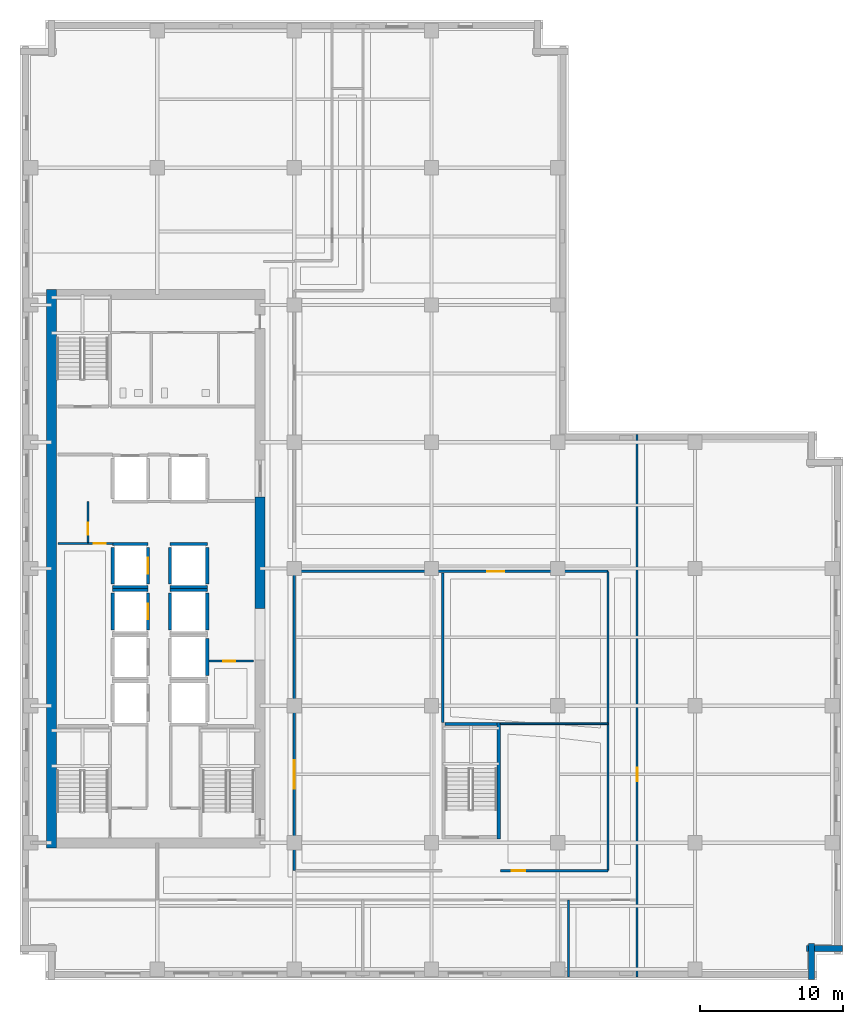
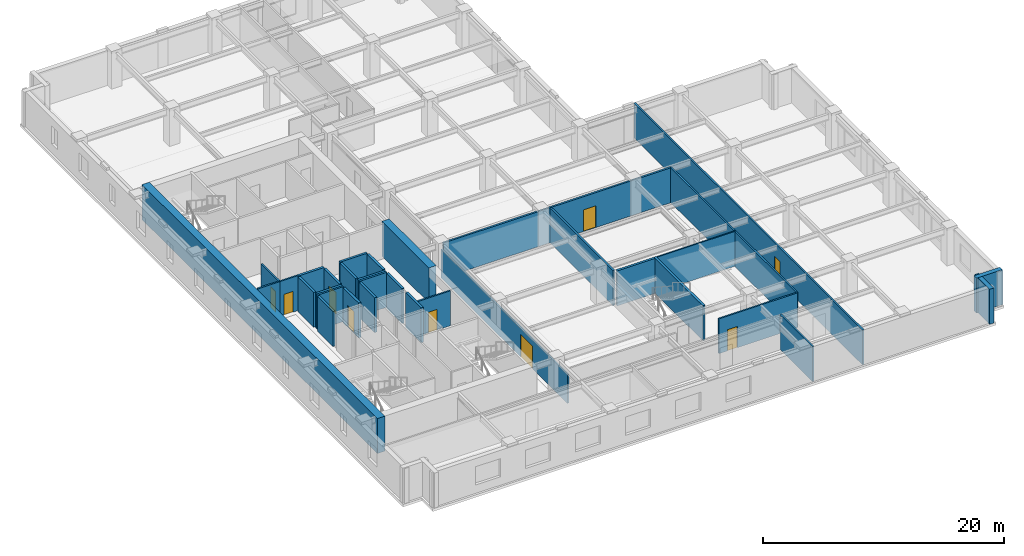
# One storey, part 5 of 13: 33 walls, 9 doors, 9 openings.
"""IFC4 building model written with IfcOpenShell, lengths in metres."""

from ifc_helpers import new_model, si_unit, direction, frame, frame_2d, origin, place, context, subcontext, project, spatial, rectangle, extrude, material, layer, layer_set, type_object, element, fill, save


model = new_model("IFC4")

# Units and contexts
model_context = context("Model", 3, precision=1e-05, world=origin(), true_north=direction((0.0, 1.0)))
body_context = subcontext(model_context, "Body", "Model", "MODEL_VIEW")
ifc_project = project(units=[si_unit("LENGTHUNIT", "METRE"), si_unit("AREAUNIT", "SQUARE_METRE"), si_unit("VOLUMEUNIT", "CUBIC_METRE"), si_unit("PLANEANGLEUNIT", "RADIAN"), si_unit("MASSUNIT", "GRAM", prefix="KILO")], contexts=[model_context])

# Site, building, storey
site_placement = place(None, origin())
site = spatial("IfcSite", under=ifc_project, at=site_placement, CompositionType="ELEMENT")
building_placement = place(site_placement, origin())
building = spatial("IfcBuilding", under=site, at=building_placement, Name="Norrvale University Quadrangle", CompositionType="ELEMENT")
storey_placement = place(building_placement, frame((0.0, 0.0, 131.800048828125)))
storey = spatial("IfcBuildingStorey", under=building, at=storey_placement, Name="L33", CompositionType="ELEMENT", Elevation=131.800048828125)

# Walls
ifc_material_1 = material(Name="Buff Norman Clay Brick Masonry", Category="masonry")
ifc_layer_1 = layer(ifc_material_1, 0.419921875, Name="Buff Norman Clay Brick Masonry")
ifc_layer_set_1 = layer_set([ifc_layer_1], Name="Buff Norman Clay Brick Masonry")
wall_type_1 = type_object("IfcWallType", Name="Wall Buff Brick 420", PredefinedType="SOLIDWALL", material=ifc_layer_set_1)
for number, where, z_axis, x_axis, name in (
    (1, (55.409912109375, 0.0400390625, 0.0), (0.0, 0.0, 1.0), (0.0, 1.0, 0.0), "Exterior Brick Facade Wall L33-02.1"),
    (2, (55.06005859375, 2.18994140625, 0.0), (0.0, 0.0, 1.0), (1.0, 0.0, 0.0), "Exterior Brick Facade Wall L33-03.1"),
):
    element("IfcWall", number, at=place(storey_placement, frame(where, z_axis=z_axis, x_axis=x_axis)), inside=storey, type_object=wall_type_1, Name=name, PredefinedType="SOLIDWALL", context=body_context, shape_type="SweptSolid", body=[
        extrude(rectangle(XDim=2.5, YDim=0.419921875, at=frame_2d((1.25, 0.0))), origin(), (0.0, 0.0, 1.0), 3.5400390625),
    ])
ifc_material_2 = material(Name="Concrete C60/75", Category="concrete")
ifc_layer_2 = layer(ifc_material_2, 0.699951171875, Name="Concrete C60/75")
ifc_layer_set_2 = layer_set([ifc_layer_2], Name="Concrete C60/75")
wall_type_2 = type_object("IfcWallType", Name="Wall Core 700", PredefinedType="SHEAR", material=ifc_layer_set_2)
wall_1_placement = place(storey_placement, frame((2.199951171875, 9.25, 0.0), z_axis=(0.0, 0.0, 1.0), x_axis=(0.0, 1.0, 0.0)))
element("IfcWall", 3, at=wall_1_placement, inside=storey, type_object=wall_type_2, Name="Tower Core Shear Wall L33-W", PredefinedType="SHEAR", context=body_context, shape_type="SweptSolid", body=[
    extrude(rectangle(XDim=39.10009765625, YDim=0.699951171875, at=frame_2d((19.550048828125, 0.0))), origin(), (0.0, 0.0, 1.0), 3.5400390625),
])
wall_2_placement = place(storey_placement, frame((16.800048828125, 26.0, 0.0), z_axis=(0.0, 0.0, 1.0), x_axis=(0.0, 1.0, 0.0)))
element("IfcWall", 4, at=wall_2_placement, inside=storey, type_object=wall_type_2, Name="Tower Core Shear Wall L33-E2", PredefinedType="SHEAR", context=body_context, shape_type="SweptSolid", body=[
    extrude(rectangle(XDim=7.800048828125, YDim=0.699951171875, at=frame_2d((3.89990234375, 0.0))), origin(), (0.0, 0.0, 1.0), 3.5400390625),
])
ifc_material_3 = material(Name="Standard Academic Gypsum Partition")
ifc_layer_3 = layer(ifc_material_3, 0.125, Name="Standard Academic Gypsum Partition")
ifc_layer_set_3 = layer_set([ifc_layer_3], Name="Standard Academic Gypsum Partition")
wall_type_3 = type_object("IfcWallType", Name="Wall Gypsum Academic 125", PredefinedType="PARTITIONING", material=ifc_layer_set_3)
wall_3_placement = place(storey_placement, frame((33.6201171875, 17.93994140625, 0.0), z_axis=(0.0, 0.0, 1.0), x_axis=(1.0, 0.0, 0.0)))
element("IfcWall", 5, at=wall_3_placement, inside=storey, type_object=wall_type_3, Name="Interior Partition WL-L33-ISLH", PredefinedType="PARTITIONING", context=body_context, shape_type="SweptSolid", body=[
    extrude(rectangle(XDim=7.52978515625, YDim=0.125, at=frame_2d((3.764892578125, 0.0))), origin(), (0.0, 0.0, 1.0), 3.5400390625),
])

# Wall, opening, door
ifc_material_4 = material(Name="Fire-Rated Gypsum Stud Partition")
ifc_layer_4 = layer(ifc_material_4, 0.14990234375, Name="Fire-Rated Gypsum Stud Partition")
ifc_layer_set_4 = layer_set([ifc_layer_4], Name="Fire-Rated Gypsum Stud Partition")
wall_type_4 = type_object("IfcWallType", Name="Wall Gypsum Corridor 150", PredefinedType="PARTITIONING", material=ifc_layer_set_4)
wall_4_placement = place(storey_placement, frame((13.22509765625, 22.320068359375, 0.0), z_axis=(0.0, 0.0, 1.0), x_axis=(1.0, 0.0, 0.0)))
wall_4 = element("IfcWall", 6, at=wall_4_placement, inside=storey, type_object=wall_type_4, Name="Interior Partition WL-L33-JAN-N", PredefinedType="PARTITIONING", context=body_context, shape_type="SweptSolid", body=[
    extrude(rectangle(XDim=3.119873046875, YDim=0.14990234375, at=frame_2d((1.56005859375, 0.0))), origin(), (0.0, 0.0, 1.0), 3.5400390625),
])
opening_1_placement = place(wall_4_placement, frame((1.0, 0.0, 0.0)))
opening_1 = element("IfcOpeningElement", 7, at=opening_1_placement, cuts=wall_4, Name="Opening D10", PredefinedType="OPENING", context=body_context, shape_type="SweptSolid", body=[
    extrude(rectangle(XDim=0.85009765625, YDim=2.10009765625, at=frame_2d((0.425048828125, 1.050048828125))), frame((0.0, 0.0869140625, 0.0), z_axis=(0.0, -1.0, 0.0), x_axis=(1.0, 0.0, 0.0)), (0.0, 0.0, 1.0), 0.173828125),
])
ifc_material_5 = material(Name="Hollow Steel 350W Riser Fire Door", Category="steel")
door_type_1 = type_object("IfcDoorType", Name="Door Riser 850x2100", OperationType="NOTDEFINED", PredefinedType="DOOR", material=ifc_material_5)
door_1_placement = place(opening_1_placement, origin())
door_1 = element("IfcDoor", 8, at=door_1_placement, inside=storey, type_object=door_type_1, Name="Door Riser 850x2100 DR-L33-JAN", OperationType="SINGLE_SWING_LEFT", OverallHeight=2.10009765625, OverallWidth=0.85009765625, PredefinedType="DOOR", context=body_context, shape_type="SweptSolid", body=[
    extrude(rectangle(XDim=0.85009765625, YDim=2.10009765625, at=frame_2d((0.425048828125, 1.050048828125))), frame((0.0, 0.02490234375, 0.0), z_axis=(0.0, -1.0, 0.0), x_axis=(1.0, 0.0, 0.0)), (0.0, 0.0, 1.0), 0.050048828125),
])
fill(opening_1, door_1)

wall_5_placement = place(storey_placement, frame((4.760009765625, 30.550048828125, 0.0), z_axis=(0.0, 0.0, 1.0), x_axis=(0.0, 1.0, 0.0)))
wall_5 = element("IfcWall", 9, at=wall_5_placement, inside=storey, type_object=wall_type_4, Name="Interior Partition WL-L33-WME-E", PredefinedType="PARTITIONING", context=body_context, shape_type="SweptSolid", body=[
    extrude(rectangle(XDim=2.929931640625, YDim=0.14990234375, at=frame_2d((1.46484375, 0.0))), origin(), (0.0, 0.0, 1.0), 3.5400390625),
])
opening_2_placement = place(wall_5_placement, frame((0.60009765625, 0.0, 0.0)))
opening_2 = element("IfcOpeningElement", 10, at=opening_2_placement, cuts=wall_5, Name="Opening D10", PredefinedType="OPENING", context=body_context, shape_type="SweptSolid", body=[
    extrude(rectangle(XDim=0.85009765625, YDim=2.10009765625, at=frame_2d((0.425048828125, 1.050048828125))), frame((0.0, 0.0869140625, 0.0), z_axis=(0.0, -1.0, 0.0), x_axis=(1.0, 0.0, 0.0)), (0.0, 0.0, 1.0), 0.173828125),
])
door_2_placement = place(opening_2_placement, origin())
door_2 = element("IfcDoor", 11, at=door_2_placement, inside=storey, type_object=door_type_1, Name="Door Riser 850x2100 DR-L33-WME", OperationType="SINGLE_SWING_LEFT", OverallHeight=2.10009765625, OverallWidth=0.85009765625, PredefinedType="DOOR", context=body_context, shape_type="SweptSolid", body=[
    extrude(rectangle(XDim=0.85009765625, YDim=2.10009765625, at=frame_2d((0.425048828125, 1.050048828125))), frame((0.0, 0.02490234375, 0.0), z_axis=(0.0, -1.0, 0.0), x_axis=(1.0, 0.0, 0.0)), (0.0, 0.0, 1.0), 0.050048828125),
])
fill(opening_2, door_2)

wall_6_placement = place(storey_placement, frame((4.760009765625, 30.550048828125, 0.0), z_axis=(0.0, 0.0, 1.0), x_axis=(1.0, 0.0, 0.0)))
wall_6 = element("IfcWall", 12, at=wall_6_placement, inside=storey, type_object=wall_type_4, Name="Interior Partition WL-L33-WST-N", PredefinedType="PARTITIONING", context=body_context, shape_type="SweptSolid", body=[
    extrude(rectangle(XDim=1.760009765625, YDim=0.14990234375, at=frame_2d((0.8798828125, 0.0))), origin(), (0.0, 0.0, 1.0), 3.5400390625),
])
opening_3_placement = place(wall_6_placement, frame((0.39990234375, 0.0, 0.0)))
opening_3 = element("IfcOpeningElement", 13, at=opening_3_placement, cuts=wall_6, Name="Opening D10", PredefinedType="OPENING", context=body_context, shape_type="SweptSolid", body=[
    extrude(rectangle(XDim=0.85009765625, YDim=2.10009765625, at=frame_2d((0.425048828125, 1.050048828125))), frame((0.0, 0.0869140625, 0.0), z_axis=(0.0, -1.0, 0.0), x_axis=(1.0, 0.0, 0.0)), (0.0, 0.0, 1.0), 0.173828125),
])
door_3_placement = place(opening_3_placement, origin())
door_3 = element("IfcDoor", 14, at=door_3_placement, inside=storey, type_object=door_type_1, Name="Door Riser 850x2100 DR-L33-WST", OperationType="SINGLE_SWING_RIGHT", OverallHeight=2.10009765625, OverallWidth=0.85009765625, PredefinedType="DOOR", context=body_context, shape_type="SweptSolid", body=[
    extrude(rectangle(XDim=0.85009765625, YDim=2.10009765625, at=frame_2d((0.425048828125, 1.050048828125))), frame((0.0, 0.02490234375, 0.0), z_axis=(0.0, -1.0, 0.0), x_axis=(1.0, 0.0, 0.0)), (0.0, 0.0, 1.0), 0.050048828125),
])
fill(opening_3, door_3)

# Wall
wall_7_placement = place(storey_placement, frame((2.64990234375, 30.550048828125, 0.0), z_axis=(0.0, 0.0, 1.0), x_axis=(1.0, 0.0, 0.0)))
element("IfcWall", 15, at=wall_7_placement, inside=storey, type_object=wall_type_4, Name="Interior Partition WL-L33-WST-N2", PredefinedType="PARTITIONING", context=body_context, shape_type="SweptSolid", body=[
    extrude(rectangle(XDim=2.110107421875, YDim=0.14990234375, at=frame_2d((1.05517578125, 0.0))), origin(), (0.0, 0.0, 1.0), 3.5400390625),
])

# Wall, opening, door
wall_8_placement = place(storey_placement, frame((43.199951171875, 0.219970703125, 0.0), z_axis=(0.0, 0.0, 1.0), x_axis=(0.0, 1.0, 0.0)))
wall_8 = element("IfcWall", 16, at=wall_8_placement, inside=storey, type_object=wall_type_4, Name="Interior Partition WL-L33-ECW", PredefinedType="PARTITIONING", context=body_context, shape_type="SweptSolid", body=[
    extrude(rectangle(XDim=37.9599609375, YDim=0.14990234375, at=frame_2d((18.97998046875, 0.0))), origin(), (0.0, 0.0, 1.0), 3.5400390625),
])
opening_4_placement = place(wall_8_placement, frame((13.679931640625, 0.0, 0.0)))
opening_4 = element("IfcOpeningElement", 17, at=opening_4_placement, cuts=wall_8, Name="Opening D07", PredefinedType="OPENING", context=body_context, shape_type="SweptSolid", body=[
    extrude(rectangle(XDim=0.949951171875, YDim=2.14990234375, at=frame_2d((0.47509765625, 1.074951171875))), frame((0.0, 0.0869140625, 0.0), z_axis=(0.0, -1.0, 0.0), x_axis=(1.0, 0.0, 0.0)), (0.0, 0.0, 1.0), 0.173828125),
])
ifc_material_6 = material(Name="Solid-Core Maple Door", Category="wood")
door_type_2 = type_object("IfcDoorType", Name="Door Office 950x2150", OperationType="NOTDEFINED", PredefinedType="DOOR", material=ifc_material_6)
door_4_placement = place(opening_4_placement, origin())
door_4 = element("IfcDoor", 18, at=door_4_placement, inside=storey, type_object=door_type_2, Name="Door Office 950x2150 DR-L33-E01", OperationType="SINGLE_SWING_RIGHT", OverallHeight=2.14990234375, OverallWidth=0.949951171875, PredefinedType="DOOR", context=body_context, shape_type="SweptSolid", body=[
    extrude(rectangle(XDim=0.949951171875, YDim=2.14990234375, at=frame_2d((0.47509765625, 1.074951171875))), frame((0.0, 0.02490234375, 0.0), z_axis=(0.0, -1.0, 0.0), x_axis=(1.0, 0.0, 0.0)), (0.0, 0.0, 1.0), 0.050048828125),
])
fill(opening_4, door_4)

wall_9_placement = place(storey_placement, frame((19.199951171875, 7.64990234375, 0.0), z_axis=(0.0, 0.0, 1.0), x_axis=(0.0, 1.0, 0.0)))
wall_9 = element("IfcWall", 19, at=wall_9_placement, inside=storey, type_object=wall_type_4, Name="Interior Partition WL-L33-ISLW", PredefinedType="PARTITIONING", context=body_context, shape_type="SweptSolid", body=[
    extrude(rectangle(XDim=20.9501953125, YDim=0.14990234375, at=frame_2d((10.47509765625, 0.0))), origin(), (0.0, 0.0, 1.0), 2.9228515625),
])
opening_5_placement = place(wall_9_placement, frame((5.75, 0.0, 0.0)))
opening_5 = element("IfcOpeningElement", 20, at=opening_5_placement, cuts=wall_9, Name="Opening D06", PredefinedType="OPENING", context=body_context, shape_type="SweptSolid", body=[
    extrude(rectangle(XDim=2.0, YDim=2.300048828125, at=frame_2d((1.0, 1.14990234375))), frame((0.0, 0.0869140625, 0.0), z_axis=(0.0, -1.0, 0.0), x_axis=(1.0, 0.0, 0.0)), (0.0, 0.0, 1.0), 0.173828125),
])
ifc_material_7 = material(Name="Acoustic Oak Double Door", Category="wood")
door_type_3 = type_object("IfcDoorType", Name="Door Lecture Dbl 2000x2300", OperationType="DOUBLE_SWING_LEFT", PredefinedType="DOOR", material=ifc_material_7)
door_5_placement = place(opening_5_placement, origin())
door_5 = element("IfcDoor", 21, at=door_5_placement, inside=storey, type_object=door_type_3, Name="Door Lecture Dbl 2000x2300 DR-L33-IW1", OperationType="DOUBLE_SWING_LEFT", OverallHeight=2.300048828125, OverallWidth=2.0, PredefinedType="DOOR", context=body_context, shape_type="SweptSolid", body=[
    extrude(rectangle(XDim=2.0, YDim=2.300048828125, at=frame_2d((1.0, 1.14990234375))), frame((0.0, 0.02490234375, 0.0), z_axis=(0.0, -1.0, 0.0), x_axis=(1.0, 0.0, 0.0)), (0.0, 0.0, 1.0), 0.050048828125),
])
fill(opening_5, door_5)

wall_10_placement = place(storey_placement, frame((33.6201171875, 7.64990234375, 0.0), z_axis=(0.0, 0.0, 1.0), x_axis=(1.0, 0.0, 0.0)))
wall_10 = element("IfcWall", 22, at=wall_10_placement, inside=storey, type_object=wall_type_4, Name="Interior Partition WL-L33-ISLS2", PredefinedType="PARTITIONING", context=body_context, shape_type="SweptSolid", body=[
    extrude(rectangle(XDim=7.52978515625, YDim=0.14990234375, at=frame_2d((3.764892578125, 0.0))), origin(), (0.0, 0.0, 1.0), 3.5400390625),
])
opening_6_placement = place(wall_10_placement, frame((0.800048828125, 0.0, 0.0)))
opening_6 = element("IfcOpeningElement", 23, at=opening_6_placement, cuts=wall_10, Name="Opening D07", PredefinedType="OPENING", context=body_context, shape_type="SweptSolid", body=[
    extrude(rectangle(XDim=0.949951171875, YDim=2.14990234375, at=frame_2d((0.47509765625, 1.074951171875))), frame((0.0, 0.0869140625, 0.0), z_axis=(0.0, -1.0, 0.0), x_axis=(1.0, 0.0, 0.0)), (0.0, 0.0, 1.0), 0.173828125),
])
door_6_placement = place(opening_6_placement, origin())
door_6 = element("IfcDoor", 24, at=door_6_placement, inside=storey, type_object=door_type_2, Name="Door Office 950x2150 DR-L33-ISE", OperationType="SINGLE_SWING_LEFT", OverallHeight=2.14990234375, OverallWidth=0.949951171875, PredefinedType="DOOR", context=body_context, shape_type="SweptSolid", body=[
    extrude(rectangle(XDim=0.949951171875, YDim=2.14990234375, at=frame_2d((0.47509765625, 1.074951171875))), frame((0.0, 0.02490234375, 0.0), z_axis=(0.0, -1.0, 0.0), x_axis=(1.0, 0.0, 0.0)), (0.0, 0.0, 1.0), 0.050048828125),
])
fill(opening_6, door_6)

# Walls
wall_11_placement = place(storey_placement, frame((41.14990234375, 7.64990234375, 0.0), z_axis=(0.0, 0.0, 1.0), x_axis=(0.0, 1.0, 0.0)))
element("IfcWall", 25, at=wall_11_placement, inside=storey, type_object=wall_type_4, Name="Interior Partition WL-L33-ISLE", PredefinedType="PARTITIONING", context=body_context, shape_type="SweptSolid", body=[
    extrude(rectangle(XDim=20.9501953125, YDim=0.14990234375, at=frame_2d((10.47509765625, 0.0))), origin(), (0.0, 0.0, 1.0), 3.5400390625),
])
ifc_material_8 = material(Name="Acoustic Double-Stud Gypsum Partition")
ifc_layer_5 = layer(ifc_material_8, 0.179931640625, Name="Acoustic Double-Stud Gypsum Partition")
ifc_layer_set_5 = layer_set([ifc_layer_5], Name="Acoustic Double-Stud Gypsum Partition")
wall_type_5 = type_object("IfcWallType", Name="Wall Gypsum Lecture 180", PredefinedType="PARTITIONING", material=ifc_layer_set_5)
wall_12_placement = place(storey_placement, frame((29.580078125, 18.02490234375, 0.0), z_axis=(0.0, 0.0, 1.0), x_axis=(0.0, 1.0, 0.0)))
element("IfcWall", 26, at=wall_12_placement, inside=storey, type_object=wall_type_5, Name="Interior Partition WL-L33-ISLD", PredefinedType="PARTITIONING", context=body_context, shape_type="SweptSolid", body=[
    extrude(rectangle(XDim=10.47998046875, YDim=0.179931640625, at=frame_2d((5.239990234375, 0.0))), origin(), (0.0, 0.0, 1.0), 3.5400390625),
])

# Wall, opening, door
wall_13_placement = place(storey_placement, frame((19.280029296875, 28.60009765625, 0.0), z_axis=(0.0, 0.0, 1.0), x_axis=(1.0, 0.0, 0.0)))
wall_13 = element("IfcWall", 27, at=wall_13_placement, inside=storey, type_object=wall_type_5, Name="Interior Partition WL-L33-ISLN", PredefinedType="PARTITIONING", context=body_context, shape_type="SweptSolid", body=[
    extrude(rectangle(XDim=21.869873046875, YDim=0.179931640625, at=frame_2d((10.93505859375, 0.0))), origin(), (0.0, 0.0, 1.0), 3.5400390625),
])
opening_7_placement = place(wall_13_placement, frame((13.419921875, 0.0, 0.0)))
opening_7 = element("IfcOpeningElement", 28, at=opening_7_placement, cuts=wall_13, Name="Opening D05", PredefinedType="OPENING", context=body_context, shape_type="SweptSolid", body=[
    extrude(rectangle(XDim=1.199951171875, YDim=2.199951171875, at=frame_2d((0.60009765625, 1.10009765625))), frame((0.0, 0.10205078125, 0.0), z_axis=(0.0, -1.0, 0.0), x_axis=(1.0, 0.0, 0.0)), (0.0, 0.0, 1.0), 0.203857421875),
])
ifc_material_9 = material(Name="Acoustic Oak Classroom Door", Category="wood")
door_type_4 = type_object("IfcDoorType", Name="Door Classroom 1200x2200", OperationType="NOTDEFINED", PredefinedType="DOOR", material=ifc_material_9)
door_7_placement = place(opening_7_placement, origin())
door_7 = element("IfcDoor", 29, at=door_7_placement, inside=storey, type_object=door_type_4, Name="Door Classroom 1200x2200 DR-L33-ILH", OperationType="SINGLE_SWING_RIGHT", OverallHeight=2.199951171875, OverallWidth=1.199951171875, PredefinedType="DOOR", context=body_context, shape_type="SweptSolid", body=[
    extrude(rectangle(XDim=1.199951171875, YDim=2.199951171875, at=frame_2d((0.60009765625, 1.10009765625))), frame((0.0, 0.02490234375, 0.0), z_axis=(0.0, -1.0, 0.0), x_axis=(1.0, 0.0, 0.0)), (0.0, 0.0, 1.0), 0.050048828125),
])
fill(opening_7, door_7)

# Walls
ifc_material_10 = material(Name="Sanitary Chase Gypsum Partition")
ifc_layer_6 = layer(ifc_material_10, 0.1650390625, Name="Sanitary Chase Gypsum Partition")
ifc_layer_set_6 = layer_set([ifc_layer_6], Name="Sanitary Chase Gypsum Partition")
wall_type_6 = type_object("IfcWallType", Name="Wall Gypsum Sanitary 165", PredefinedType="PLUMBINGWALL", material=ifc_layer_set_6)
wall_14_placement = place(storey_placement, frame((38.39990234375, 0.219970703125, 0.0), z_axis=(0.0, 0.0, 1.0), x_axis=(0.0, 1.0, 0.0)))
element("IfcWall", 30, at=wall_14_placement, inside=storey, type_object=wall_type_6, Name="Interior Partition WL-L33-SP02", PredefinedType="PLUMBINGWALL", context=body_context, shape_type="SweptSolid", body=[
    extrude(rectangle(XDim=5.380126953125, YDim=0.1650390625, at=frame_2d((2.68994140625, 0.0))), origin(), (0.0, 0.0, 1.0), 3.5400390625),
])
ifc_material_11 = material(Name="Concrete Blockwork 20 MPa Fire Shaft", Category="masonry")
ifc_layer_7 = layer(ifc_material_11, 0.219970703125, Name="Concrete Blockwork 20 MPa Fire Shaft")
ifc_layer_set_7 = layer_set([ifc_layer_7], Name="Concrete Blockwork 20 MPa Fire Shaft")
wall_type_7 = type_object("IfcWallType", Name="Wall Shaft 220", PredefinedType="SOLIDWALL", material=ifc_layer_set_7)
wall_15_placement = place(storey_placement, frame((33.510009765625, 9.8798828125, 0.0), z_axis=(0.0, 0.0, 1.0), x_axis=(0.0, 1.0, 0.0)))
element("IfcWall", 31, at=wall_15_placement, inside=storey, type_object=wall_type_7, Name="Stair ST-04 East Shaft Wall L33", PredefinedType="SOLIDWALL", context=body_context, shape_type="SweptSolid", body=[
    extrude(rectangle(XDim=8.14013671875, YDim=0.219970703125, at=frame_2d((4.070068359375, 0.0))), origin(), (0.0, 0.0, 1.0), 3.5400390625),
])
wall_16_placement = place(storey_placement, frame((29.75, 17.909912109375, 0.0), z_axis=(0.0, 0.0, 1.0), x_axis=(1.0, 0.0, 0.0)))
element("IfcWall", 32, at=wall_16_placement, inside=storey, type_object=wall_type_7, Name="Stair ST-04 North Shaft Wall L33", PredefinedType="SOLIDWALL", context=body_context, shape_type="SweptSolid", body=[
    extrude(rectangle(XDim=3.64990234375, YDim=0.219970703125, at=frame_2d((1.824951171875, 0.0))), origin(), (0.0, 0.0, 1.0), 3.5400390625),
])
wall_17_placement = place(storey_placement, frame((6.489990234375, 24.510009765625, 0.0), z_axis=(0.0, 0.0, 1.0), x_axis=(0.0, 1.0, 0.0)))
element("IfcWall", 33, at=wall_17_placement, inside=storey, type_object=wall_type_7, Name="Hoistway PL-03 West Wall L33", PredefinedType="SOLIDWALL", context=body_context, shape_type="SweptSolid", body=[
    extrude(rectangle(XDim=2.580078125, YDim=0.219970703125, at=frame_2d((1.2900390625, 0.0))), origin(), (0.0, 0.0, 1.0), 3.5400390625),
])

# Wall, opening, door
wall_18_placement = place(storey_placement, frame((8.9599609375, 24.510009765625, 0.0), z_axis=(0.0, 0.0, 1.0), x_axis=(0.0, 1.0, 0.0)))
wall_18 = element("IfcWall", 34, at=wall_18_placement, inside=storey, type_object=wall_type_7, Name="Hoistway PL-03 East Wall L33", PredefinedType="SOLIDWALL", context=body_context, shape_type="SweptSolid", body=[
    extrude(rectangle(XDim=2.580078125, YDim=0.219970703125, at=frame_2d((1.2900390625, 0.0))), origin(), (0.0, 0.0, 1.0), 3.5400390625),
])
opening_8_placement = place(wall_18_placement, frame((0.739990234375, 0.0, 0.0)))
opening_8 = element("IfcOpeningElement", 35, at=opening_8_placement, cuts=wall_18, Name="Opening LD1", PredefinedType="OPENING", context=body_context, shape_type="SweptSolid", body=[
    extrude(rectangle(XDim=1.10009765625, YDim=2.199951171875, at=frame_2d((0.550048828125, 1.10009765625))), frame((0.0, 0.1220703125, 0.0), z_axis=(0.0, -1.0, 0.0), x_axis=(1.0, 0.0, 0.0)), (0.0, 0.0, 1.0), 0.243896484375),
])
ifc_material_12 = material(Name="Stainless Steel 316L Lift Landing Door", Category="steel")
door_type_5 = type_object("IfcDoorType", Name="Door Lift Landing 1100x2200", OperationType="DOUBLE_DOOR_SLIDING", PredefinedType="DOOR", material=ifc_material_12)
door_8_placement = place(opening_8_placement, origin())
door_8 = element("IfcDoor", 36, at=door_8_placement, inside=storey, type_object=door_type_5, Name="Elevator Landing Door DR-L33-PL-03", OperationType="DOUBLE_DOOR_SLIDING", OverallHeight=2.199951171875, OverallWidth=1.10009765625, PredefinedType="DOOR", context=body_context, shape_type="SweptSolid", body=[
    extrude(rectangle(XDim=1.10009765625, YDim=2.199951171875, at=frame_2d((0.550048828125, 1.10009765625))), frame((0.0, 0.02490234375, 0.0), z_axis=(0.0, -1.0, 0.0), x_axis=(1.0, 0.0, 0.0)), (0.0, 0.0, 1.0), 0.050048828125),
])
fill(opening_8, door_8)

# Walls
wall_19_placement = place(storey_placement, frame((6.489990234375, 27.31005859375, 0.0), z_axis=(0.0, 0.0, 1.0), x_axis=(1.0, 0.0, 0.0)))
element("IfcWall", 37, at=wall_19_placement, inside=storey, type_object=wall_type_7, Name="Hoistway PL-03 North Wall L33", PredefinedType="SOLIDWALL", context=body_context, shape_type="SweptSolid", body=[
    extrude(rectangle(XDim=2.469970703125, YDim=0.219970703125, at=frame_2d((1.23486328125, 0.0))), origin(), (0.0, 0.0, 1.0), 3.5400390625),
])
wall_20_placement = place(storey_placement, frame((6.489990234375, 27.7099609375, 0.0), z_axis=(0.0, 0.0, 1.0), x_axis=(0.0, 1.0, 0.0)))
element("IfcWall", 38, at=wall_20_placement, inside=storey, type_object=wall_type_7, Name="Hoistway PL-04 West Wall L33", PredefinedType="SOLIDWALL", context=body_context, shape_type="SweptSolid", body=[
    extrude(rectangle(XDim=2.580078125, YDim=0.219970703125, at=frame_2d((1.2900390625, 0.0))), origin(), (0.0, 0.0, 1.0), 3.5400390625),
])

# Wall, opening, door
wall_21_placement = place(storey_placement, frame((8.9599609375, 27.7099609375, 0.0), z_axis=(0.0, 0.0, 1.0), x_axis=(0.0, 1.0, 0.0)))
wall_21 = element("IfcWall", 39, at=wall_21_placement, inside=storey, type_object=wall_type_7, Name="Hoistway PL-04 East Wall L33", PredefinedType="SOLIDWALL", context=body_context, shape_type="SweptSolid", body=[
    extrude(rectangle(XDim=2.580078125, YDim=0.219970703125, at=frame_2d((1.2900390625, 0.0))), origin(), (0.0, 0.0, 1.0), 3.5400390625),
])
opening_9_placement = place(wall_21_placement, frame((0.739990234375, 0.0, 0.0)))
opening_9 = element("IfcOpeningElement", 40, at=opening_9_placement, cuts=wall_21, Name="Opening LD1", PredefinedType="OPENING", context=body_context, shape_type="SweptSolid", body=[
    extrude(rectangle(XDim=1.10009765625, YDim=2.199951171875, at=frame_2d((0.550048828125, 1.10009765625))), frame((0.0, 0.1220703125, 0.0), z_axis=(0.0, -1.0, 0.0), x_axis=(1.0, 0.0, 0.0)), (0.0, 0.0, 1.0), 0.243896484375),
])
door_9_placement = place(opening_9_placement, origin())
door_9 = element("IfcDoor", 41, at=door_9_placement, inside=storey, type_object=door_type_5, Name="Elevator Landing Door DR-L33-PL-04", OperationType="DOUBLE_DOOR_SLIDING", OverallHeight=2.199951171875, OverallWidth=1.10009765625, PredefinedType="DOOR", context=body_context, shape_type="SweptSolid", body=[
    extrude(rectangle(XDim=1.10009765625, YDim=2.199951171875, at=frame_2d((0.550048828125, 1.10009765625))), frame((0.0, 0.02490234375, 0.0), z_axis=(0.0, -1.0, 0.0), x_axis=(1.0, 0.0, 0.0)), (0.0, 0.0, 1.0), 0.050048828125),
])
fill(opening_9, door_9)

# Walls
for number, where, z_axis, x_axis, name in (
    (42, (6.489990234375, 27.489990234375, 0.0), (0.0, 0.0, 1.0), (1.0, 0.0, 0.0), "Hoistway PL-04 South Wall L33"),
    (43, (6.489990234375, 30.510009765625, 0.0), (0.0, 0.0, 1.0), (1.0, 0.0, 0.0), "Hoistway PL-04 North Wall L33"),
):
    element("IfcWall", number, at=place(storey_placement, frame(where, z_axis=z_axis, x_axis=x_axis)), inside=storey, type_object=wall_type_7, Name=name, PredefinedType="SOLIDWALL", context=body_context, shape_type="SweptSolid", body=[
        extrude(rectangle(XDim=2.469970703125, YDim=0.219970703125, at=frame_2d((1.23486328125, 0.0))), origin(), (0.0, 0.0, 1.0), 3.5400390625),
    ])
wall_22_placement = place(storey_placement, frame((13.110107421875, 21.31005859375, 0.0), z_axis=(0.0, 0.0, 1.0), x_axis=(0.0, 1.0, 0.0)))
element("IfcWall", 44, at=wall_22_placement, inside=storey, type_object=wall_type_7, Name="Hoistway PL-06 East Wall L33", PredefinedType="SOLIDWALL", context=body_context, shape_type="SweptSolid", body=[
    extrude(rectangle(XDim=2.579833984375, YDim=0.219970703125, at=frame_2d((1.2900390625, 0.0))), origin(), (0.0, 0.0, 1.0), 3.5400390625),
])
for number, where, z_axis, x_axis, name in (
    (45, (10.489990234375, 24.510009765625, 0.0), (0.0, 0.0, 1.0), (0.0, 1.0, 0.0), "Hoistway PL-07 West Wall L33"),
    (46, (13.110107421875, 24.510009765625, 0.0), (0.0, 0.0, 1.0), (0.0, 1.0, 0.0), "Hoistway PL-07 East Wall L33"),
):
    element("IfcWall", number, at=place(storey_placement, frame(where, z_axis=z_axis, x_axis=x_axis)), inside=storey, type_object=wall_type_7, Name=name, PredefinedType="SOLIDWALL", context=body_context, shape_type="SweptSolid", body=[
        extrude(rectangle(XDim=2.580078125, YDim=0.219970703125, at=frame_2d((1.2900390625, 0.0))), origin(), (0.0, 0.0, 1.0), 3.5400390625),
    ])
wall_23_placement = place(storey_placement, frame((10.489990234375, 27.31005859375, 0.0), z_axis=(0.0, 0.0, 1.0), x_axis=(1.0, 0.0, 0.0)))
element("IfcWall", 47, at=wall_23_placement, inside=storey, type_object=wall_type_7, Name="Hoistway PL-07 North Wall L33", PredefinedType="SOLIDWALL", context=body_context, shape_type="SweptSolid", body=[
    extrude(rectangle(XDim=2.6201171875, YDim=0.219970703125, at=frame_2d((1.31005859375, 0.0))), origin(), (0.0, 0.0, 1.0), 3.5400390625),
])
for number, where, z_axis, x_axis, name in (
    (48, (10.489990234375, 27.7099609375, 0.0), (0.0, 0.0, 1.0), (0.0, 1.0, 0.0), "Hoistway PL-08 West Wall L33"),
    (49, (13.110107421875, 27.7099609375, 0.0), (0.0, 0.0, 1.0), (0.0, 1.0, 0.0), "Hoistway PL-08 East Wall L33"),
):
    element("IfcWall", number, at=place(storey_placement, frame(where, z_axis=z_axis, x_axis=x_axis)), inside=storey, type_object=wall_type_7, Name=name, PredefinedType="SOLIDWALL", context=body_context, shape_type="SweptSolid", body=[
        extrude(rectangle(XDim=2.580078125, YDim=0.219970703125, at=frame_2d((1.2900390625, 0.0))), origin(), (0.0, 0.0, 1.0), 3.5400390625),
    ])
for number, where, z_axis, x_axis, name in (
    (50, (10.489990234375, 27.489990234375, 0.0), (0.0, 0.0, 1.0), (1.0, 0.0, 0.0), "Hoistway PL-08 South Wall L33"),
    (51, (10.489990234375, 30.510009765625, 0.0), (0.0, 0.0, 1.0), (1.0, 0.0, 0.0), "Hoistway PL-08 North Wall L33"),
):
    element("IfcWall", number, at=place(storey_placement, frame(where, z_axis=z_axis, x_axis=x_axis)), inside=storey, type_object=wall_type_7, Name=name, PredefinedType="SOLIDWALL", context=body_context, shape_type="SweptSolid", body=[
        extrude(rectangle(XDim=2.6201171875, YDim=0.219970703125, at=frame_2d((1.31005859375, 0.0))), origin(), (0.0, 0.0, 1.0), 3.5400390625),
    ])

save(model, "model.ifc")
